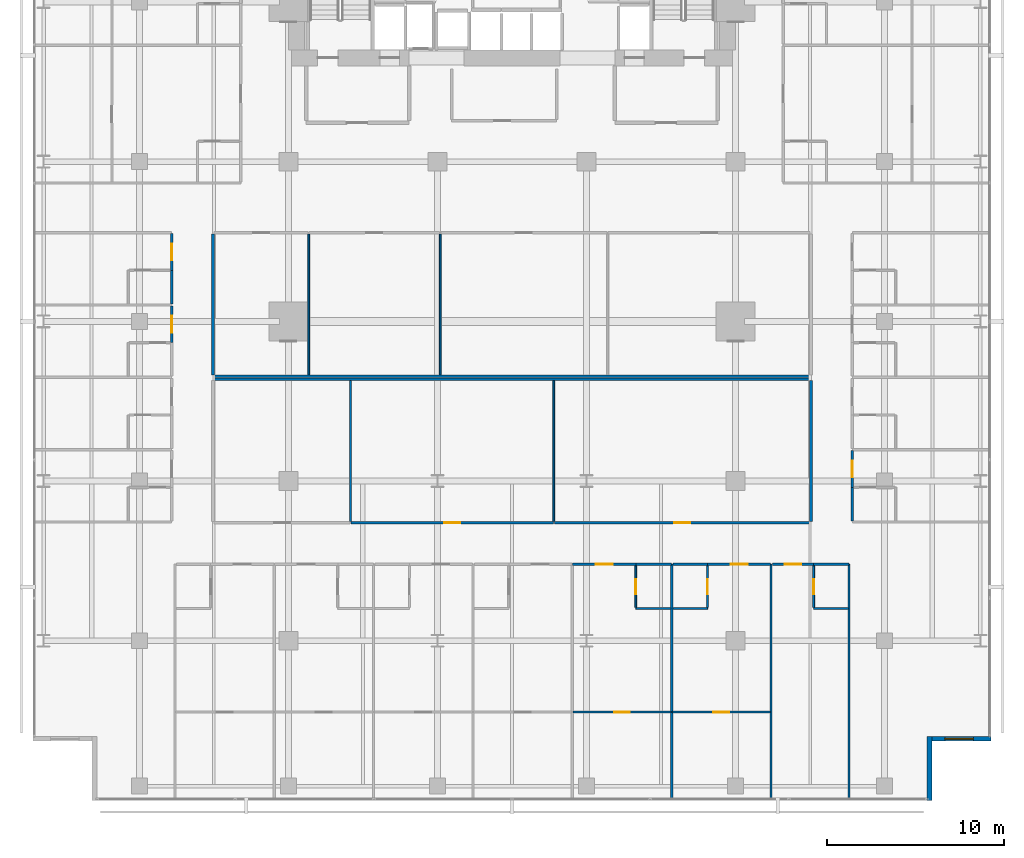
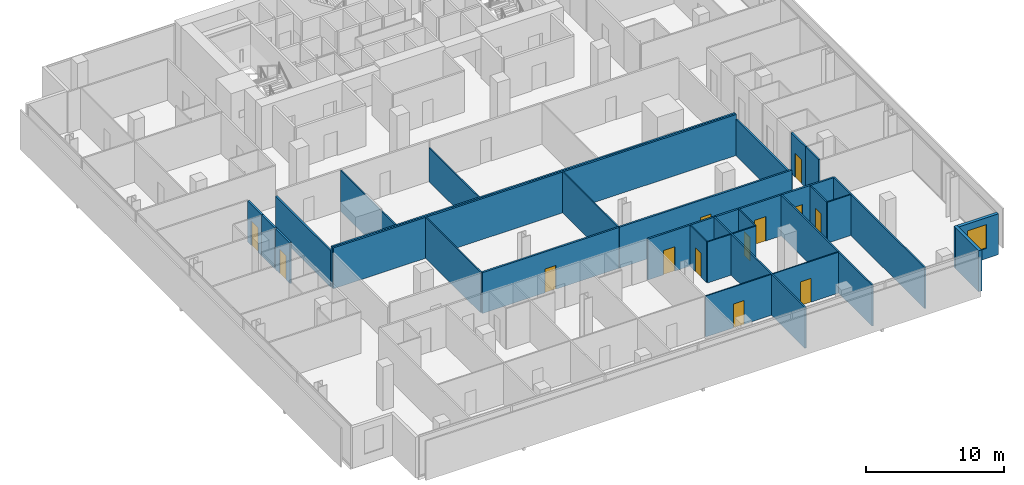
# One storey, part 34 of 40: 34 walls, 13 doors, 1 window, 14 openings.
"""IFC4 building model written with IfcOpenShell, lengths in metres."""

from ifc_helpers import new_model, si_unit, direction, frame, frame_2d, origin, place, context, subcontext, project, spatial, rectangle, extrude, material, layer, layer_set, type_object, element, fill, save


model = new_model("IFC4")

# Units and contexts
model_context = context("Model", 3, precision=1e-05, world=origin(), true_north=direction((0.0, 1.0)))
body_context = subcontext(model_context, "Body", "Model", "MODEL_VIEW")
ifc_project = project(units=[si_unit("LENGTHUNIT", "METRE"), si_unit("AREAUNIT", "SQUARE_METRE"), si_unit("VOLUMEUNIT", "CUBIC_METRE"), si_unit("PLANEANGLEUNIT", "RADIAN"), si_unit("MASSUNIT", "GRAM", prefix="KILO")], contexts=[model_context])

# Site, building, storey
site_placement = place(None, origin())
site = spatial("IfcSite", under=ifc_project, at=site_placement, CompositionType="ELEMENT")
building_placement = place(site_placement, origin())
building = spatial("IfcBuilding", under=site, at=building_placement, Name="Maruvema Waterfront Hotel and Observation Tower", CompositionType="ELEMENT")
storey_placement = place(building_placement, frame((0.0, 0.0, 53.89990234375)))
storey = spatial("IfcBuildingStorey", under=building, at=storey_placement, Name="L12", CompositionType="ELEMENT", Elevation=53.89990234375)

# Walls
ifc_material_1 = material(Name="Twin-stud acoustic gypsum drywall", Category="gypsum")
ifc_layer_1 = layer(ifc_material_1, 0.14990234375, Name="Acoustic Corridor and Suite Demising Wall 150 mm")
ifc_layer_set_1 = layer_set([ifc_layer_1], Name="Twin-stud acoustic gypsum drywall")
wall_type_1 = type_object("IfcWallType", Name="Acoustic Corridor and Suite Demising Wall 150 mm", PredefinedType="PARTITIONING", material=ifc_layer_set_1)
wall_1_placement = place(storey_placement, frame((20.949951171875, 23.89990234375, 0.0), z_axis=(0.0, 0.0, 1.0), x_axis=(1.0, 0.0, 0.0)))
element("IfcWall", 1, at=wall_1_placement, inside=storey, type_object=wall_type_1, Name="L12 L12-INTN Back Wall 016", PredefinedType="PARTITIONING", context=body_context, shape_type="SweptSolid", body=[
    extrude(rectangle(XDim=33.699951171875, YDim=0.14990234375, at=frame_2d((16.85009765625, 0.0))), origin(), (0.0, 0.0, 1.0), 3.610107421875),
])
wall_2_placement = place(storey_placement, frame((20.949951171875, 23.97998046875, 0.0), z_axis=(0.0, 0.0, 1.0), x_axis=(0.0, 1.0, 0.0)))
element("IfcWall", 2, at=wall_2_placement, inside=storey, type_object=wall_type_1, Name="L12 L12-INTN West Wall 017", PredefinedType="PARTITIONING", context=body_context, shape_type="SweptSolid", body=[
    extrude(rectangle(XDim=7.93994140625, YDim=0.14990234375, at=frame_2d((3.969970703125, 0.0))), origin(), (0.0, 0.0, 1.0), 3.20703125),
])
wall_3_placement = place(storey_placement, frame((20.949951171875, 23.739990234375, 0.0), z_axis=(0.0, 0.0, 1.0), x_axis=(1.0, 0.0, 0.0)))
element("IfcWall", 3, at=wall_3_placement, inside=storey, type_object=wall_type_1, Name="L12 L12-INTS Back Wall 026", PredefinedType="PARTITIONING", context=body_context, shape_type="SweptSolid", body=[
    extrude(rectangle(XDim=33.699951171875, YDim=0.14990234375, at=frame_2d((16.85009765625, 0.0))), origin(), (0.0, 0.0, 1.0), 3.610107421875),
])
wall_4_placement = place(storey_placement, frame((54.64990234375, 15.72998046875, 0.0), z_axis=(0.0, 0.0, 1.0), x_axis=(0.0, 1.0, 0.0)))
element("IfcWall", 4, at=wall_4_placement, inside=storey, type_object=wall_type_1, Name="L12 L12-INTS East Wall 028", PredefinedType="PARTITIONING", context=body_context, shape_type="SweptSolid", body=[
    extrude(rectangle(XDim=7.929931640625, YDim=0.14990234375, at=frame_2d((3.96484375, 0.0))), origin(), (0.0, 0.0, 1.0), 3.20703125),
])

# Wall, opening, door
wall_5_placement = place(storey_placement, frame((28.73095703125, 15.64990234375, 0.0), z_axis=(0.0, 0.0, 1.0), x_axis=(1.0, 0.0, 0.0)))
wall_5 = element("IfcWall", 5, at=wall_5_placement, inside=storey, type_object=wall_type_1, Name="L12 L12-INTS Front 2 031", PredefinedType="PARTITIONING", context=body_context, shape_type="SweptSolid", body=[
    extrude(rectangle(XDim=11.39794921875, YDim=0.14990234375, at=frame_2d((5.698974609375, 0.0))), origin(), (0.0, 0.0, 1.0), 3.610107421875),
])
opening_1_placement = place(wall_5_placement, frame((5.2490234375, 0.0, 0.0)))
opening_1 = element("IfcOpeningElement", 6, at=opening_1_placement, cuts=wall_5, Name="Opening DR-090", PredefinedType="OPENING", context=body_context, shape_type="SweptSolid", body=[
    extrude(rectangle(XDim=0.89990234375, YDim=2.10009765625, at=frame_2d((0.449951171875, 1.050048828125))), frame((0.0, 0.0849609375, 0.0), z_axis=(0.0, -1.0, 0.0), x_axis=(1.0, 0.0, 0.0)), (0.0, 0.0, 1.0), 0.169921875),
])
ifc_material_2 = material(Name="Solid-core lacquered timber leaf", Category="wood")
door_type_1 = type_object("IfcDoorType", Name="Accessible Toilet and Room Door 900x2100 mm", OperationType="NOTDEFINED", PredefinedType="DOOR", material=ifc_material_2)
door_1_placement = place(opening_1_placement, frame((0.89990234375, 0.0, 0.0), z_axis=(0.0, 0.0, 1.0), x_axis=(-1.0, 0.0, 0.0)))
door_1 = element("IfcDoor", 7, at=door_1_placement, inside=storey, type_object=door_type_1, Name="L12 Housekeeping Linen Room Door", OperationType="SINGLE_SWING_LEFT", OverallHeight=2.10009765625, OverallWidth=0.89990234375, PredefinedType="DOOR", context=body_context, shape_type="SweptSolid", body=[
    extrude(rectangle(XDim=0.89990234375, YDim=2.10009765625, at=frame_2d((0.449951171875, 1.050048828125))), frame((0.0, 0.02490234375, 0.0), z_axis=(0.0, -1.0, 0.0), x_axis=(1.0, 0.0, 0.0)), (0.0, 0.0, 1.0), 0.050048828125),
])
fill(opening_1, door_1)

wall_6_placement = place(storey_placement, frame((40.18896484375, 15.64990234375, 0.0), z_axis=(0.0, 0.0, 1.0), x_axis=(1.0, 0.0, 0.0)))
wall_6 = element("IfcWall", 8, at=wall_6_placement, inside=storey, type_object=wall_type_1, Name="L12 L12-INTS Front 3 033", PredefinedType="PARTITIONING", context=body_context, shape_type="SweptSolid", body=[
    extrude(rectangle(XDim=14.401123046875, YDim=0.14990234375, at=frame_2d((7.20068359375, 0.0))), origin(), (0.0, 0.0, 1.0), 3.610107421875),
])
opening_2_placement = place(wall_6_placement, frame((6.75048828125, 0.0, 0.0)))
opening_2 = element("IfcOpeningElement", 9, at=opening_2_placement, cuts=wall_6, Name="Opening DR-090", PredefinedType="OPENING", context=body_context, shape_type="SweptSolid", body=[
    extrude(rectangle(XDim=0.89990234375, YDim=2.10009765625, at=frame_2d((0.449951171875, 1.050048828125))), frame((0.0, 0.0849609375, 0.0), z_axis=(0.0, -1.0, 0.0), x_axis=(1.0, 0.0, 0.0)), (0.0, 0.0, 1.0), 0.169921875),
])
door_2_placement = place(opening_2_placement, frame((0.89990234375, 0.0, 0.0), z_axis=(0.0, 0.0, 1.0), x_axis=(-1.0, 0.0, 0.0)))
door_2 = element("IfcDoor", 10, at=door_2_placement, inside=storey, type_object=door_type_1, Name="L12 Concierge Salon Door", OperationType="SINGLE_SWING_RIGHT", OverallHeight=2.10009765625, OverallWidth=0.89990234375, PredefinedType="DOOR", context=body_context, shape_type="SweptSolid", body=[
    extrude(rectangle(XDim=0.89990234375, YDim=2.10009765625, at=frame_2d((0.449951171875, 1.050048828125))), frame((0.0, 0.02490234375, 0.0), z_axis=(0.0, -1.0, 0.0), x_axis=(1.0, 0.0, 0.0)), (0.0, 0.0, 1.0), 0.050048828125),
])
fill(opening_2, door_2)

# Wall
wall_7_placement = place(storey_placement, frame((44.780029296875, 13.320068359375, 0.0), z_axis=(0.0, 0.0, 1.0), x_axis=(1.0, 0.0, 0.0)))
element("IfcWall", 11, at=wall_7_placement, inside=storey, type_object=wall_type_1, Name="L12 Bath L12-S5 Back Wall 060", PredefinedType="PARTITIONING", context=body_context, shape_type="SweptSolid", body=[
    extrude(rectangle(XDim=2.0, YDim=0.14990234375, at=frame_2d((1.0, 0.0))), origin(), (0.0, 0.0, 1.0), 3.610107421875),
])

# Wall, opening, door
wall_8_placement = place(storey_placement, frame((41.219970703125, 13.320068359375, 0.0), z_axis=(0.0, 0.0, 1.0), x_axis=(1.0, 0.0, 0.0)))
wall_8 = element("IfcWall", 12, at=wall_8_placement, inside=storey, type_object=wall_type_1, Name="L12 Unit L12-S5 Corridor Wall 063", PredefinedType="PARTITIONING", context=body_context, shape_type="SweptSolid", body=[
    extrude(rectangle(XDim=3.56005859375, YDim=0.14990234375, at=frame_2d((1.780029296875, 0.0))), origin(), (0.0, 0.0, 1.0), 3.610107421875),
])
opening_3_placement = place(wall_8_placement, frame((1.304931640625, 0.0, 0.0)))
opening_3 = element("IfcOpeningElement", 13, at=opening_3_placement, cuts=wall_8, Name="Opening DR-095", PredefinedType="OPENING", context=body_context, shape_type="SweptSolid", body=[
    extrude(rectangle(XDim=0.949951171875, YDim=2.14990234375, at=frame_2d((0.47509765625, 1.074951171875))), frame((0.0, 0.0849609375, 0.0), z_axis=(0.0, -1.0, 0.0), x_axis=(1.0, 0.0, 0.0)), (0.0, 0.0, 1.0), 0.169921875),
])
ifc_material_3 = material(Name="Acoustic solid-core hardwood timber leaf", Category="wood")
door_type_2 = type_object("IfcDoorType", Name="Guestroom Entrance Fire Door 950x2150 mm", OperationType="NOTDEFINED", PredefinedType="DOOR", material=ifc_material_3)
door_3_placement = place(opening_3_placement, frame((0.949951171875, 0.0, 0.0), z_axis=(0.0, 0.0, 1.0), x_axis=(-1.0, 0.0, 0.0)))
door_3 = element("IfcDoor", 14, at=door_3_placement, inside=storey, type_object=door_type_2, Name="L12 Unit L12-S5 Entrance Door", OperationType="SINGLE_SWING_RIGHT", OverallHeight=2.14990234375, OverallWidth=0.949951171875, PredefinedType="DOOR", context=body_context, shape_type="SweptSolid", body=[
    extrude(rectangle(XDim=0.949951171875, YDim=2.14990234375, at=frame_2d((0.47509765625, 1.074951171875))), frame((0.0, 0.02490234375, 0.0), z_axis=(0.0, -1.0, 0.0), x_axis=(1.0, 0.0, 0.0)), (0.0, 0.0, 1.0), 0.050048828125),
])
fill(opening_3, door_3)

# Wall
wall_9_placement = place(storey_placement, frame((46.8798828125, 13.320068359375, 0.0), z_axis=(0.0, 0.0, 1.0), x_axis=(1.0, 0.0, 0.0)))
element("IfcWall", 15, at=wall_9_placement, inside=storey, type_object=wall_type_1, Name="L12 Bath L12-S6 Back Wall 066", PredefinedType="PARTITIONING", context=body_context, shape_type="SweptSolid", body=[
    extrude(rectangle(XDim=1.940185546875, YDim=0.14990234375, at=frame_2d((0.97021484375, 0.0))), origin(), (0.0, 0.0, 1.0), 3.610107421875),
])

# Wall, opening, door
wall_10_placement = place(storey_placement, frame((48.820068359375, 13.320068359375, 0.0), z_axis=(0.0, 0.0, 1.0), x_axis=(1.0, 0.0, 0.0)))
wall_10 = element("IfcWall", 16, at=wall_10_placement, inside=storey, type_object=wall_type_1, Name="L12 Unit L12-S6 Corridor Wall 069", PredefinedType="PARTITIONING", context=body_context, shape_type="SweptSolid", body=[
    extrude(rectangle(XDim=3.559814453125, YDim=0.14990234375, at=frame_2d((1.77978515625, 0.0))), origin(), (0.0, 0.0, 1.0), 3.610107421875),
])
opening_4_placement = place(wall_10_placement, frame((1.304931640625, 0.0, 0.0)))
opening_4 = element("IfcOpeningElement", 17, at=opening_4_placement, cuts=wall_10, Name="Opening DR-095", PredefinedType="OPENING", context=body_context, shape_type="SweptSolid", body=[
    extrude(rectangle(XDim=0.949951171875, YDim=2.14990234375, at=frame_2d((0.47509765625, 1.074951171875))), frame((0.0, 0.0849609375, 0.0), z_axis=(0.0, -1.0, 0.0), x_axis=(1.0, 0.0, 0.0)), (0.0, 0.0, 1.0), 0.169921875),
])
door_4_placement = place(opening_4_placement, frame((0.949951171875, 0.0, 0.0), z_axis=(0.0, 0.0, 1.0), x_axis=(-1.0, 0.0, 0.0)))
door_4 = element("IfcDoor", 18, at=door_4_placement, inside=storey, type_object=door_type_2, Name="L12 Unit L12-S6 Entrance Door", OperationType="SINGLE_SWING_LEFT", OverallHeight=2.14990234375, OverallWidth=0.949951171875, PredefinedType="DOOR", context=body_context, shape_type="SweptSolid", body=[
    extrude(rectangle(XDim=0.949951171875, YDim=2.14990234375, at=frame_2d((0.47509765625, 1.074951171875))), frame((0.0, 0.02490234375, 0.0), z_axis=(0.0, -1.0, 0.0), x_axis=(1.0, 0.0, 0.0)), (0.0, 0.0, 1.0), 0.050048828125),
])
fill(opening_4, door_4)

# Wall
wall_11_placement = place(storey_placement, frame((54.800048828125, 13.320068359375, 0.0), z_axis=(0.0, 0.0, 1.0), x_axis=(1.0, 0.0, 0.0)))
element("IfcWall", 19, at=wall_11_placement, inside=storey, type_object=wall_type_1, Name="L12 Bath L12-S7 Back Wall 072", PredefinedType="PARTITIONING", context=body_context, shape_type="SweptSolid", body=[
    extrude(rectangle(XDim=1.97998046875, YDim=0.14990234375, at=frame_2d((0.989990234375, 0.0))), origin(), (0.0, 0.0, 1.0), 3.610107421875),
])

# Wall, opening, door
wall_12_placement = place(storey_placement, frame((52.47998046875, 13.320068359375, 0.0), z_axis=(0.0, 0.0, 1.0), x_axis=(1.0, 0.0, 0.0)))
wall_12 = element("IfcWall", 20, at=wall_12_placement, inside=storey, type_object=wall_type_1, Name="L12 Unit L12-S7 Corridor Wall 075", PredefinedType="PARTITIONING", context=body_context, shape_type="SweptSolid", body=[
    extrude(rectangle(XDim=2.320068359375, YDim=0.14990234375, at=frame_2d((1.16015625, 0.0))), origin(), (0.0, 0.0, 1.0), 3.610107421875),
])
opening_5_placement = place(wall_12_placement, frame((0.68505859375, 0.0, 0.0)))
opening_5 = element("IfcOpeningElement", 21, at=opening_5_placement, cuts=wall_12, Name="Opening DR-095", PredefinedType="OPENING", context=body_context, shape_type="SweptSolid", body=[
    extrude(rectangle(XDim=0.949951171875, YDim=2.14990234375, at=frame_2d((0.47509765625, 1.074951171875))), frame((0.0, 0.0849609375, 0.0), z_axis=(0.0, -1.0, 0.0), x_axis=(1.0, 0.0, 0.0)), (0.0, 0.0, 1.0), 0.169921875),
])
door_5_placement = place(opening_5_placement, frame((0.949951171875, 0.0, 0.0), z_axis=(0.0, 0.0, 1.0), x_axis=(-1.0, 0.0, 0.0)))
door_5 = element("IfcDoor", 22, at=door_5_placement, inside=storey, type_object=door_type_2, Name="L12 Unit L12-S7 Entrance Door", OperationType="SINGLE_SWING_RIGHT", OverallHeight=2.14990234375, OverallWidth=0.949951171875, PredefinedType="DOOR", context=body_context, shape_type="SweptSolid", body=[
    extrude(rectangle(XDim=0.949951171875, YDim=2.14990234375, at=frame_2d((0.47509765625, 1.074951171875))), frame((0.0, 0.02490234375, 0.0), z_axis=(0.0, -1.0, 0.0), x_axis=(1.0, 0.0, 0.0)), (0.0, 0.0, 1.0), 0.050048828125),
])
fill(opening_5, door_5)

# Wall
wall_13_placement = place(storey_placement, frame((56.97998046875, 15.760009765625, 0.0), z_axis=(0.0, 0.0, 1.0), x_axis=(0.0, 1.0, 0.0)))
element("IfcWall", 23, at=wall_13_placement, inside=storey, type_object=wall_type_1, Name="L12 Bath L12-E1 Wall 084", PredefinedType="PARTITIONING", context=body_context, shape_type="SweptSolid", body=[
    extrude(rectangle(XDim=1.889892578125, YDim=0.14990234375, at=frame_2d((0.94482421875, 0.0))), origin(), (0.0, 0.0, 1.0), 3.610107421875),
])

# Wall, opening, door
wall_14_placement = place(storey_placement, frame((56.97998046875, 17.64990234375, 0.0), z_axis=(0.0, 0.0, 1.0), x_axis=(0.0, 1.0, 0.0)))
wall_14 = element("IfcWall", 24, at=wall_14_placement, inside=storey, type_object=wall_type_1, Name="L12 Room L12-E1 Corridor Wall 085", PredefinedType="PARTITIONING", context=body_context, shape_type="SweptSolid", body=[
    extrude(rectangle(XDim=2.06005859375, YDim=0.14990234375, at=frame_2d((1.030029296875, 0.0))), origin(), (0.0, 0.0, 1.0), 3.610107421875),
])
opening_6_placement = place(wall_14_placement, frame((0.554931640625, 0.0, 0.0)))
opening_6 = element("IfcOpeningElement", 25, at=opening_6_placement, cuts=wall_14, Name="Opening DR-095", PredefinedType="OPENING", context=body_context, shape_type="SweptSolid", body=[
    extrude(rectangle(XDim=0.949951171875, YDim=2.14990234375, at=frame_2d((0.47509765625, 1.074951171875))), frame((0.0, 0.0849609375, 0.0), z_axis=(0.0, -1.0, 0.0), x_axis=(1.0, 0.0, 0.0)), (0.0, 0.0, 1.0), 0.169921875),
])
door_6_placement = place(opening_6_placement, frame((0.949951171875, 0.0, 0.0), z_axis=(0.0, 0.0, 1.0), x_axis=(-1.0, 0.0, 0.0)))
door_6 = element("IfcDoor", 26, at=door_6_placement, inside=storey, type_object=door_type_2, Name="L12 Room L12-E1 Entrance Door", OperationType="SINGLE_SWING_RIGHT", OverallHeight=2.14990234375, OverallWidth=0.949951171875, PredefinedType="DOOR", context=body_context, shape_type="SweptSolid", body=[
    extrude(rectangle(XDim=0.949951171875, YDim=2.14990234375, at=frame_2d((0.47509765625, 1.074951171875))), frame((0.0, 0.02490234375, 0.0), z_axis=(0.0, -1.0, 0.0), x_axis=(1.0, 0.0, 0.0)), (0.0, 0.0, 1.0), 0.050048828125),
])
fill(opening_6, door_6)

wall_15_placement = place(storey_placement, frame((18.6201171875, 25.800048828125, 0.0), z_axis=(0.0, 0.0, 1.0), x_axis=(0.0, 1.0, 0.0)))
wall_15 = element("IfcWall", 27, at=wall_15_placement, inside=storey, type_object=wall_type_1, Name="L12 Room L12-W3 Corridor Wall 101", PredefinedType="PARTITIONING", context=body_context, shape_type="SweptSolid", body=[
    extrude(rectangle(XDim=2.070068359375, YDim=0.14990234375, at=frame_2d((1.03515625, 0.0))), origin(), (0.0, 0.0, 1.0), 3.610107421875),
])
opening_7_placement = place(wall_15_placement, frame((0.56005859375, 0.0, 0.0)))
opening_7 = element("IfcOpeningElement", 28, at=opening_7_placement, cuts=wall_15, Name="Opening DR-095", PredefinedType="OPENING", context=body_context, shape_type="SweptSolid", body=[
    extrude(rectangle(XDim=0.949951171875, YDim=2.14990234375, at=frame_2d((0.47509765625, 1.074951171875))), frame((0.0, 0.0849609375, 0.0), z_axis=(0.0, -1.0, 0.0), x_axis=(1.0, 0.0, 0.0)), (0.0, 0.0, 1.0), 0.169921875),
])
door_7_placement = place(opening_7_placement, origin())
door_7 = element("IfcDoor", 29, at=door_7_placement, inside=storey, type_object=door_type_2, Name="L12 Room L12-W3 Entrance Door", OperationType="SINGLE_SWING_RIGHT", OverallHeight=2.14990234375, OverallWidth=0.949951171875, PredefinedType="DOOR", context=body_context, shape_type="SweptSolid", body=[
    extrude(rectangle(XDim=0.949951171875, YDim=2.14990234375, at=frame_2d((0.47509765625, 1.074951171875))), frame((0.0, 0.02490234375, 0.0), z_axis=(0.0, -1.0, 0.0), x_axis=(1.0, 0.0, 0.0)), (0.0, 0.0, 1.0), 0.050048828125),
])
fill(opening_7, door_7)

# Wall
wall_16_placement = place(storey_placement, frame((18.6201171875, 27.989990234375, 0.0), z_axis=(0.0, 0.0, 1.0), x_axis=(0.0, 1.0, 0.0)))
element("IfcWall", 30, at=wall_16_placement, inside=storey, type_object=wall_type_1, Name="L12 Bath L12-W4 Wall 110", PredefinedType="PARTITIONING", context=body_context, shape_type="SweptSolid", body=[
    extrude(rectangle(XDim=1.889892578125, YDim=0.14990234375, at=frame_2d((0.94482421875, 0.0))), origin(), (0.0, 0.0, 1.0), 3.610107421875),
])

# Wall, opening, door
wall_17_placement = place(storey_placement, frame((18.6201171875, 29.8798828125, 0.0), z_axis=(0.0, 0.0, 1.0), x_axis=(0.0, 1.0, 0.0)))
wall_17 = element("IfcWall", 31, at=wall_17_placement, inside=storey, type_object=wall_type_1, Name="L12 Room L12-W4 Corridor Wall 111", PredefinedType="PARTITIONING", context=body_context, shape_type="SweptSolid", body=[
    extrude(rectangle(XDim=2.06005859375, YDim=0.14990234375, at=frame_2d((1.030029296875, 0.0))), origin(), (0.0, 0.0, 1.0), 3.610107421875),
])
opening_8_placement = place(wall_17_placement, frame((0.554931640625, 0.0, 0.0)))
opening_8 = element("IfcOpeningElement", 32, at=opening_8_placement, cuts=wall_17, Name="Opening DR-095", PredefinedType="OPENING", context=body_context, shape_type="SweptSolid", body=[
    extrude(rectangle(XDim=0.949951171875, YDim=2.14990234375, at=frame_2d((0.47509765625, 1.074951171875))), frame((0.0, 0.0849609375, 0.0), z_axis=(0.0, -1.0, 0.0), x_axis=(1.0, 0.0, 0.0)), (0.0, 0.0, 1.0), 0.169921875),
])
door_8_placement = place(opening_8_placement, origin())
door_8 = element("IfcDoor", 33, at=door_8_placement, inside=storey, type_object=door_type_2, Name="L12 Room L12-W4 Entrance Door", OperationType="SINGLE_SWING_RIGHT", OverallHeight=2.14990234375, OverallWidth=0.949951171875, PredefinedType="DOOR", context=body_context, shape_type="SweptSolid", body=[
    extrude(rectangle(XDim=0.949951171875, YDim=2.14990234375, at=frame_2d((0.47509765625, 1.074951171875))), frame((0.0, 0.02490234375, 0.0), z_axis=(0.0, -1.0, 0.0), x_axis=(1.0, 0.0, 0.0)), (0.0, 0.0, 1.0), 0.050048828125),
])
fill(opening_8, door_8)

# Walls
ifc_material_4 = material(Name="Moisture-resistant cement-board drywall", Category="gypsum")
ifc_layer_2 = layer(ifc_material_4, 0.10009765625, Name="En-Suite Moisture-Resistant Partition 100 mm")
ifc_layer_set_2 = layer_set([ifc_layer_2], Name="Moisture-resistant cement-board drywall")
wall_type_2 = type_object("IfcWallType", Name="En-Suite Moisture-Resistant Partition 100 mm", PredefinedType="PARTITIONING", material=ifc_layer_set_2)
wall_18_placement = place(storey_placement, frame((26.342041015625, 23.97998046875, 0.0), z_axis=(0.0, 0.0, 1.0), x_axis=(0.0, 1.0, 0.0)))
element("IfcWall", 34, at=wall_18_placement, inside=storey, type_object=wall_type_2, Name="L12 L12-INTN Split 1 020", PredefinedType="PARTITIONING", context=body_context, shape_type="SweptSolid", body=[
    extrude(rectangle(XDim=7.93994140625, YDim=0.10009765625, at=frame_2d((3.969970703125, 0.0))), origin(), (0.0, 0.0, 1.0), 3.610107421875),
])
wall_19_placement = place(storey_placement, frame((33.756103515625, 23.97998046875, 0.0), z_axis=(0.0, 0.0, 1.0), x_axis=(0.0, 1.0, 0.0)))
element("IfcWall", 35, at=wall_19_placement, inside=storey, type_object=wall_type_2, Name="L12 L12-INTN Split 2 022", PredefinedType="PARTITIONING", context=body_context, shape_type="SweptSolid", body=[
    extrude(rectangle(XDim=7.93994140625, YDim=0.10009765625, at=frame_2d((3.969970703125, 0.0))), origin(), (0.0, 0.0, 1.0), 2.988037109375),
])
for number, where, z_axis, x_axis, name in (
    (36, (28.700927734375, 15.72998046875, 0.0), (0.0, 0.0, 1.0), (0.0, 1.0, 0.0), "L12 L12-INTS Split 1 030"),
    (37, (40.158935546875, 15.72998046875, 0.0), (0.0, 0.0, 1.0), (0.0, 1.0, 0.0), "L12 L12-INTS Split 2 032"),
):
    element("IfcWall", number, at=place(storey_placement, frame(where, z_axis=z_axis, x_axis=x_axis)), inside=storey, type_object=wall_type_2, Name=name, PredefinedType="PARTITIONING", context=body_context, shape_type="SweptSolid", body=[
        extrude(rectangle(XDim=7.929931640625, YDim=0.10009765625, at=frame_2d((3.96484375, 0.0))), origin(), (0.0, 0.0, 1.0), 3.610107421875),
    ])
wall_20_placement = place(storey_placement, frame((44.780029296875, 10.820068359375, 0.0), z_axis=(0.0, 0.0, 1.0), x_axis=(1.0, 0.0, 0.0)))
element("IfcWall", 38, at=wall_20_placement, inside=storey, type_object=wall_type_2, Name="L12 En-Suite L12-S5 South 061", PredefinedType="PARTITIONING", context=body_context, shape_type="SweptSolid", body=[
    extrude(rectangle(XDim=1.97998046875, YDim=0.10009765625, at=frame_2d((0.989990234375, 0.0))), origin(), (0.0, 0.0, 1.0), 3.610107421875),
])

# Wall, opening, door
wall_21_placement = place(storey_placement, frame((44.780029296875, 10.8798828125, 0.0), z_axis=(0.0, 0.0, 1.0), x_axis=(0.0, 1.0, 0.0)))
wall_21 = element("IfcWall", 39, at=wall_21_placement, inside=storey, type_object=wall_type_2, Name="L12 En-Suite L12-S5 West 062", PredefinedType="PARTITIONING", context=body_context, shape_type="SweptSolid", body=[
    extrude(rectangle(XDim=2.340087890625, YDim=0.10009765625, at=frame_2d((1.169921875, 0.0))), origin(), (0.0, 0.0, 1.0), 3.610107421875),
])
opening_9_placement = place(wall_21_placement, frame((0.7451171875, 0.0, 0.0)))
opening_9 = element("IfcOpeningElement", 40, at=opening_9_placement, cuts=wall_21, Name="Opening DR-085", PredefinedType="OPENING", context=body_context, shape_type="SweptSolid", body=[
    extrude(rectangle(XDim=0.85009765625, YDim=2.10009765625, at=frame_2d((0.425048828125, 1.050048828125))), frame((0.0, 0.06005859375, 0.0), z_axis=(0.0, -1.0, 0.0), x_axis=(1.0, 0.0, 0.0)), (0.0, 0.0, 1.0), 0.1201171875),
])
ifc_material_5 = material(Name="Moisture-resistant solid timber leaf", Category="wood")
door_type_3 = type_object("IfcDoorType", Name="En-Suite Bathroom Door 850x2100 mm", OperationType="NOTDEFINED", PredefinedType="DOOR", material=ifc_material_5)
door_9_placement = place(opening_9_placement, origin())
door_9 = element("IfcDoor", 41, at=door_9_placement, inside=storey, type_object=door_type_3, Name="L12 En-Suite L12-S5 Door", OperationType="SINGLE_SWING_LEFT", OverallHeight=2.10009765625, OverallWidth=0.85009765625, PredefinedType="DOOR", context=body_context, shape_type="SweptSolid", body=[
    extrude(rectangle(XDim=0.85009765625, YDim=2.10009765625, at=frame_2d((0.425048828125, 1.050048828125))), frame((0.0, 0.02490234375, 0.0), z_axis=(0.0, -1.0, 0.0), x_axis=(1.0, 0.0, 0.0)), (0.0, 0.0, 1.0), 0.050048828125),
])
fill(opening_9, door_9)

wall_22_placement = place(storey_placement, frame((41.239990234375, 4.977294921875, 0.0), z_axis=(0.0, 0.0, 1.0), x_axis=(1.0, 0.0, 0.0)))
wall_22 = element("IfcWall", 42, at=wall_22_placement, inside=storey, type_object=wall_type_2, Name="L12 Suite L12-S5 Split 064", PredefinedType="PARTITIONING", context=body_context, shape_type="SweptSolid", body=[
    extrude(rectangle(XDim=5.52001953125, YDim=0.10009765625, at=frame_2d((2.760009765625, 0.0))), origin(), (0.0, 0.0, 1.0), 3.610107421875),
])
opening_10_placement = place(wall_22_placement, frame((2.31005859375, 0.0, 0.0)))
opening_10 = element("IfcOpeningElement", 43, at=opening_10_placement, cuts=wall_22, Name="Opening DR-090", PredefinedType="OPENING", context=body_context, shape_type="SweptSolid", body=[
    extrude(rectangle(XDim=0.89990234375, YDim=2.10009765625, at=frame_2d((0.449951171875, 1.050048828125))), frame((0.0, 0.06005859375, 0.0), z_axis=(0.0, -1.0, 0.0), x_axis=(1.0, 0.0, 0.0)), (0.0, 0.0, 1.0), 0.1201171875),
])
door_10_placement = place(opening_10_placement, frame((0.89990234375, 0.0, 0.0), z_axis=(0.0, 0.0, 1.0), x_axis=(-1.0, 0.0, 0.0)))
door_10 = element("IfcDoor", 44, at=door_10_placement, inside=storey, type_object=door_type_1, Name="L12 Suite L12-S5 Bedroom Door", OperationType="SINGLE_SWING_LEFT", OverallHeight=2.10009765625, OverallWidth=0.89990234375, PredefinedType="DOOR", context=body_context, shape_type="SweptSolid", body=[
    extrude(rectangle(XDim=0.89990234375, YDim=2.10009765625, at=frame_2d((0.449951171875, 1.050048828125))), frame((0.0, 0.02490234375, 0.0), z_axis=(0.0, -1.0, 0.0), x_axis=(1.0, 0.0, 0.0)), (0.0, 0.0, 1.0), 0.050048828125),
])
fill(opening_10, door_10)

# Wall
wall_23_placement = place(storey_placement, frame((46.8798828125, 10.820068359375, 0.0), z_axis=(0.0, 0.0, 1.0), x_axis=(1.0, 0.0, 0.0)))
element("IfcWall", 45, at=wall_23_placement, inside=storey, type_object=wall_type_2, Name="L12 En-Suite L12-S6 South 067", PredefinedType="PARTITIONING", context=body_context, shape_type="SweptSolid", body=[
    extrude(rectangle(XDim=1.940185546875, YDim=0.10009765625, at=frame_2d((0.97021484375, 0.0))), origin(), (0.0, 0.0, 1.0), 3.610107421875),
])

# Wall, opening, door
wall_24_placement = place(storey_placement, frame((48.820068359375, 10.8798828125, 0.0), z_axis=(0.0, 0.0, 1.0), x_axis=(0.0, 1.0, 0.0)))
wall_24 = element("IfcWall", 46, at=wall_24_placement, inside=storey, type_object=wall_type_2, Name="L12 En-Suite L12-S6 East 068", PredefinedType="PARTITIONING", context=body_context, shape_type="SweptSolid", body=[
    extrude(rectangle(XDim=2.340087890625, YDim=0.10009765625, at=frame_2d((1.169921875, 0.0))), origin(), (0.0, 0.0, 1.0), 3.610107421875),
])
opening_11_placement = place(wall_24_placement, frame((0.7451171875, 0.0, 0.0)))
opening_11 = element("IfcOpeningElement", 47, at=opening_11_placement, cuts=wall_24, Name="Opening DR-085", PredefinedType="OPENING", context=body_context, shape_type="SweptSolid", body=[
    extrude(rectangle(XDim=0.85009765625, YDim=2.10009765625, at=frame_2d((0.425048828125, 1.050048828125))), frame((0.0, 0.06005859375, 0.0), z_axis=(0.0, -1.0, 0.0), x_axis=(1.0, 0.0, 0.0)), (0.0, 0.0, 1.0), 0.1201171875),
])
door_11_placement = place(opening_11_placement, frame((0.85009765625, 0.0, 0.0), z_axis=(0.0, 0.0, 1.0), x_axis=(-1.0, 0.0, 0.0)))
door_11 = element("IfcDoor", 48, at=door_11_placement, inside=storey, type_object=door_type_3, Name="L12 En-Suite L12-S6 Door", OperationType="SINGLE_SWING_RIGHT", OverallHeight=2.10009765625, OverallWidth=0.85009765625, PredefinedType="DOOR", context=body_context, shape_type="SweptSolid", body=[
    extrude(rectangle(XDim=0.85009765625, YDim=2.10009765625, at=frame_2d((0.425048828125, 1.050048828125))), frame((0.0, 0.02490234375, 0.0), z_axis=(0.0, -1.0, 0.0), x_axis=(1.0, 0.0, 0.0)), (0.0, 0.0, 1.0), 0.050048828125),
])
fill(opening_11, door_11)

wall_25_placement = place(storey_placement, frame((46.840087890625, 4.977294921875, 0.0), z_axis=(0.0, 0.0, 1.0), x_axis=(1.0, 0.0, 0.0)))
wall_25 = element("IfcWall", 49, at=wall_25_placement, inside=storey, type_object=wall_type_2, Name="L12 Suite L12-S6 Split 070", PredefinedType="PARTITIONING", context=body_context, shape_type="SweptSolid", body=[
    extrude(rectangle(XDim=5.52001953125, YDim=0.10009765625, at=frame_2d((2.760009765625, 0.0))), origin(), (0.0, 0.0, 1.0), 3.610107421875),
])
opening_12_placement = place(wall_25_placement, frame((2.31005859375, 0.0, 0.0)))
opening_12 = element("IfcOpeningElement", 50, at=opening_12_placement, cuts=wall_25, Name="Opening DR-090", PredefinedType="OPENING", context=body_context, shape_type="SweptSolid", body=[
    extrude(rectangle(XDim=0.89990234375, YDim=2.10009765625, at=frame_2d((0.449951171875, 1.050048828125))), frame((0.0, 0.06005859375, 0.0), z_axis=(0.0, -1.0, 0.0), x_axis=(1.0, 0.0, 0.0)), (0.0, 0.0, 1.0), 0.1201171875),
])
door_12_placement = place(opening_12_placement, frame((0.89990234375, 0.0, 0.0), z_axis=(0.0, 0.0, 1.0), x_axis=(-1.0, 0.0, 0.0)))
door_12 = element("IfcDoor", 51, at=door_12_placement, inside=storey, type_object=door_type_1, Name="L12 Suite L12-S6 Bedroom Door", OperationType="SINGLE_SWING_RIGHT", OverallHeight=2.10009765625, OverallWidth=0.89990234375, PredefinedType="DOOR", context=body_context, shape_type="SweptSolid", body=[
    extrude(rectangle(XDim=0.89990234375, YDim=2.10009765625, at=frame_2d((0.449951171875, 1.050048828125))), frame((0.0, 0.02490234375, 0.0), z_axis=(0.0, -1.0, 0.0), x_axis=(1.0, 0.0, 0.0)), (0.0, 0.0, 1.0), 0.050048828125),
])
fill(opening_12, door_12)

# Wall
wall_26_placement = place(storey_placement, frame((54.800048828125, 10.820068359375, 0.0), z_axis=(0.0, 0.0, 1.0), x_axis=(1.0, 0.0, 0.0)))
element("IfcWall", 52, at=wall_26_placement, inside=storey, type_object=wall_type_2, Name="L12 En-Suite L12-S7 South 073", PredefinedType="PARTITIONING", context=body_context, shape_type="SweptSolid", body=[
    extrude(rectangle(XDim=1.9599609375, YDim=0.10009765625, at=frame_2d((0.97998046875, 0.0))), origin(), (0.0, 0.0, 1.0), 3.610107421875),
])

# Wall, opening, door
wall_27_placement = place(storey_placement, frame((54.800048828125, 10.8798828125, 0.0), z_axis=(0.0, 0.0, 1.0), x_axis=(0.0, 1.0, 0.0)))
wall_27 = element("IfcWall", 53, at=wall_27_placement, inside=storey, type_object=wall_type_2, Name="L12 En-Suite L12-S7 West 074", PredefinedType="PARTITIONING", context=body_context, shape_type="SweptSolid", body=[
    extrude(rectangle(XDim=2.340087890625, YDim=0.10009765625, at=frame_2d((1.169921875, 0.0))), origin(), (0.0, 0.0, 1.0), 3.610107421875),
])
opening_13_placement = place(wall_27_placement, frame((0.7451171875, 0.0, 0.0)))
opening_13 = element("IfcOpeningElement", 54, at=opening_13_placement, cuts=wall_27, Name="Opening DR-085", PredefinedType="OPENING", context=body_context, shape_type="SweptSolid", body=[
    extrude(rectangle(XDim=0.85009765625, YDim=2.10009765625, at=frame_2d((0.425048828125, 1.050048828125))), frame((0.0, 0.06005859375, 0.0), z_axis=(0.0, -1.0, 0.0), x_axis=(1.0, 0.0, 0.0)), (0.0, 0.0, 1.0), 0.1201171875),
])
door_13_placement = place(opening_13_placement, origin())
door_13 = element("IfcDoor", 55, at=door_13_placement, inside=storey, type_object=door_type_3, Name="L12 En-Suite L12-S7 Door", OperationType="SINGLE_SWING_LEFT", OverallHeight=2.10009765625, OverallWidth=0.85009765625, PredefinedType="DOOR", context=body_context, shape_type="SweptSolid", body=[
    extrude(rectangle(XDim=0.85009765625, YDim=2.10009765625, at=frame_2d((0.425048828125, 1.050048828125))), frame((0.0, 0.02490234375, 0.0), z_axis=(0.0, -1.0, 0.0), x_axis=(1.0, 0.0, 0.0)), (0.0, 0.0, 1.0), 0.050048828125),
])
fill(opening_13, door_13)

# Wall
ifc_material_6 = material(Name="Precast concrete C45/55 with honed Pernambuco granite facing", Category="masonry")
ifc_layer_3 = layer(ifc_material_6, 0.260009765625, Name="Exterior Granite Clad Spandrel and Pier Wall 260 mm")
ifc_layer_set_3 = layer_set([ifc_layer_3], Name="Precast concrete C45/55 with honed Pernambuco granite facing")
wall_type_3 = type_object("IfcWallType", Name="Exterior Granite Clad Spandrel and Pier Wall 260 mm", PredefinedType="SOLIDWALL", material=ifc_layer_set_3)
wall_28_placement = place(storey_placement, frame((61.330078125, 3.60009765625, 0.0), z_axis=(0.0, 0.0, 1.0), x_axis=(0.0, -1.0, 0.0)))
element("IfcWall", 56, at=wall_28_placement, inside=storey, type_object=wall_type_3, Name="L12 Corner Notch Granite Pier Wall SE1", PredefinedType="SOLIDWALL", context=body_context, shape_type="SweptSolid", body=[
    extrude(rectangle(XDim=3.60009765625, YDim=0.260009765625, at=frame_2d((1.800048828125, 0.0))), origin(), (0.0, 0.0, 1.0), 3.610107421875),
])

# Wall, opening, window
wall_29_placement = place(storey_placement, frame((64.800048828125, 3.469970703125, 0.0), z_axis=(0.0, 0.0, 1.0), x_axis=(-1.0, 0.0, 0.0)))
wall_29 = element("IfcWall", 57, at=wall_29_placement, inside=storey, type_object=wall_type_3, Name="L12 Corner Notch Granite Pier Wall SE2", PredefinedType="SOLIDWALL", context=body_context, shape_type="SweptSolid", body=[
    extrude(rectangle(XDim=3.60009765625, YDim=0.260009765625, at=frame_2d((1.800048828125, 0.0))), origin(), (0.0, 0.0, 1.0), 3.610107421875),
])
opening_14_placement = place(wall_29_placement, frame((1.0, 0.0, 0.89990234375)))
opening_14 = element("IfcOpeningElement", 58, at=opening_14_placement, cuts=wall_29, Name="Opening WN-01", PredefinedType="OPENING", context=body_context, shape_type="SweptSolid", body=[
    extrude(rectangle(XDim=1.60009765625, YDim=2.10009765625, at=frame_2d((0.800048828125, 1.050048828125))), frame((0.0, 0.14013671875, 0.0), z_axis=(0.0, -1.0, 0.0), x_axis=(1.0, 0.0, 0.0)), (0.0, 0.0, 1.0), 0.280029296875),
])
ifc_material_7 = material(Name="Anodised bronze aluminium frame with laminated low-E glass", Category="aluminium")
window_type = type_object("IfcWindowType", Name="Corner Notch Feature Window 1600x2100 mm", PartitioningType="SINGLE_PANEL", PredefinedType="WINDOW", material=ifc_material_7)
window_placement = place(opening_14_placement, origin())
window = element("IfcWindow", 59, at=window_placement, inside=storey, type_object=window_type, Name="L12 Corner Notch Punched Window SE2", OverallHeight=2.10009765625, OverallWidth=1.60009765625, PartitioningType="SINGLE_PANEL", PredefinedType="WINDOW", context=body_context, shape_type="SweptSolid", body=[
    extrude(rectangle(XDim=1.60009765625, YDim=2.10009765625, at=frame_2d((0.800048828125, 1.050048828125))), frame((0.0, 0.030029296875, 0.0), z_axis=(0.0, -1.0, 0.0), x_axis=(1.0, 0.0, 0.0)), (0.0, 0.0, 1.0), 0.06005859375),
])
fill(opening_14, window)

# Walls
ifc_material_8 = material(Name="Acoustic gypsum plasterboard drywall", Category="gypsum")
ifc_layer_4 = layer(ifc_material_8, 0.125, Name="Guestroom Acoustic Demising Wall 125 mm")
ifc_layer_set_4 = layer_set([ifc_layer_4], Name="Acoustic gypsum plasterboard drywall")
wall_type_4 = type_object("IfcWallType", Name="Guestroom Acoustic Demising Wall 125 mm", PredefinedType="PARTITIONING", material=ifc_layer_set_4)
for number, where, z_axis, x_axis, name in (
    (60, (56.800048828125, 0.10009765625, 0.0), (0.0, 0.0, 1.0), (0.0, 1.0, 0.0), "L12 S East End 035"),
    (61, (46.800048828125, 0.10009765625, 0.0), (0.0, 0.0, 1.0), (0.0, 1.0, 0.0), "L12 S Demising 6 065"),
    (62, (52.39990234375, 0.10009765625, 0.0), (0.0, 0.0, 1.0), (0.0, 1.0, 0.0), "L12 S Demising 7 071"),
):
    element("IfcWall", number, at=place(storey_placement, frame(where, z_axis=z_axis, x_axis=x_axis)), inside=storey, type_object=wall_type_4, Name=name, PredefinedType="PARTITIONING", context=body_context, shape_type="SweptSolid", body=[
        extrude(rectangle(XDim=13.219970703125, YDim=0.125, at=frame_2d((6.60986328125, 0.0))), origin(), (0.0, 0.0, 1.0), 3.610107421875),
    ])

save(model, "model.ifc")
